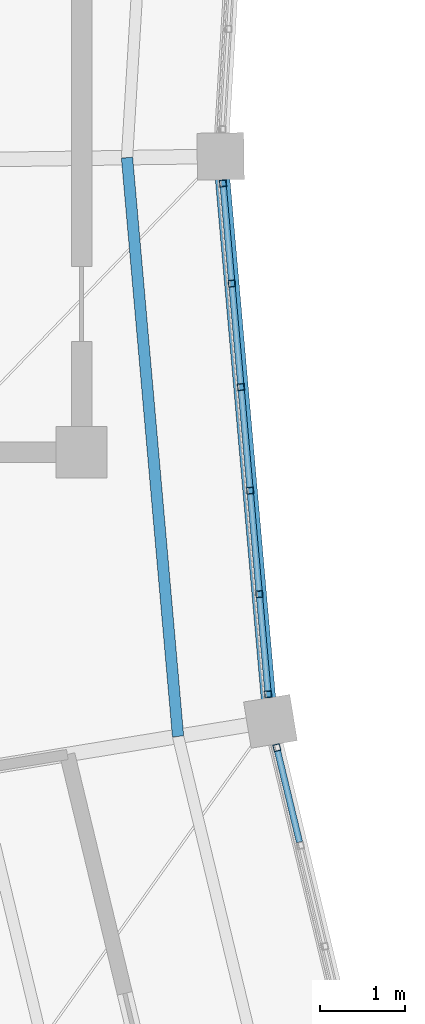
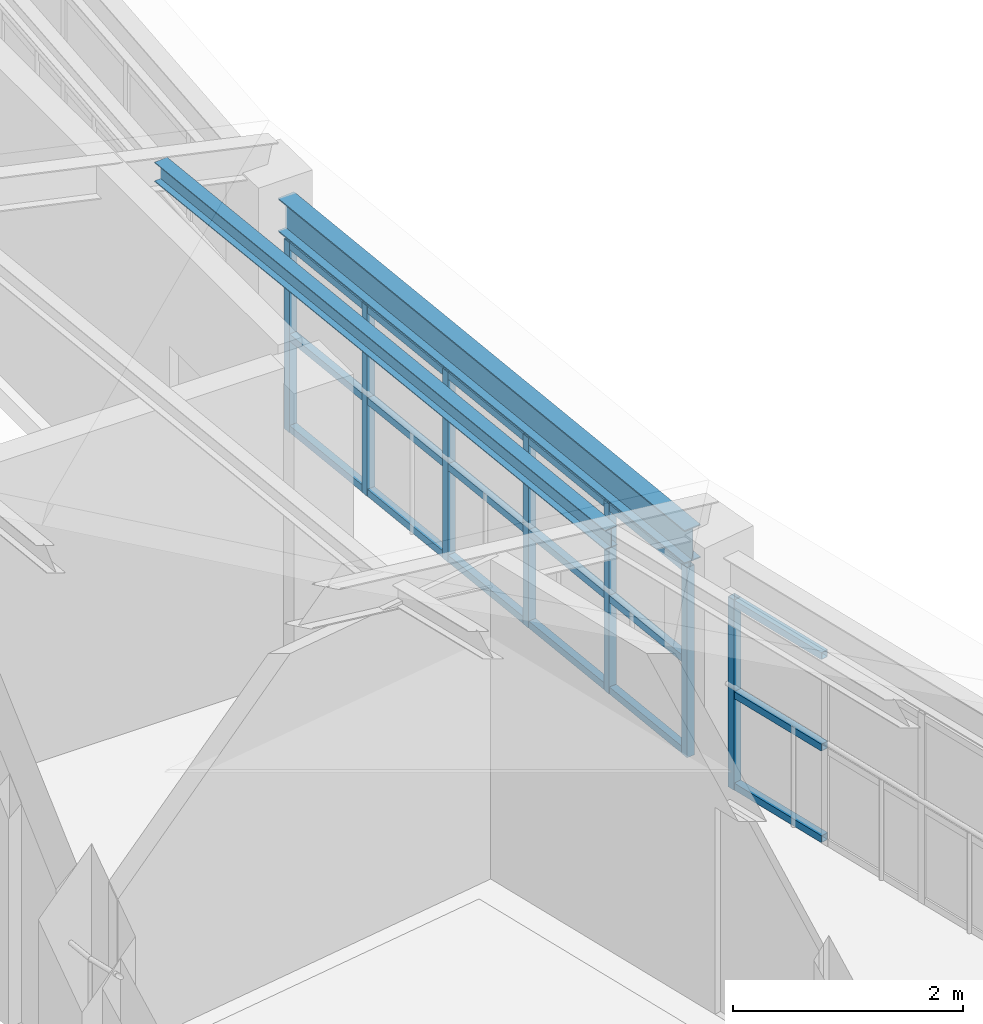
# One storey, part 29 of 149: 26 members, 1 beam, 2 elements without a shape of their own.
"""IFC4 building model written with IfcOpenShell, lengths in metres."""

from ifc_helpers import new_model, si_unit, direction, frame, origin, origin_2d, place, context, subcontext, project, spatial, hollow_rectangle, i_section, extrude, material, material_profile, profile_set, type_object, element, aggregate, save


model = new_model("IFC4")

# Units and contexts
model_context = context("Model", 3, precision=1e-05, world=origin(), true_north=direction((0.0, 1.0)))
body_context = subcontext(model_context, "Body", "Model", "MODEL_VIEW")
ifc_project = project(units=[si_unit("LENGTHUNIT", "METRE"), si_unit("AREAUNIT", "SQUARE_METRE"), si_unit("VOLUMEUNIT", "CUBIC_METRE"), si_unit("PLANEANGLEUNIT", "RADIAN"), si_unit("MASSUNIT", "GRAM", prefix="KILO")], contexts=[model_context])

# Site, building, storey
site_placement = place(None, origin())
site = spatial("IfcSite", under=ifc_project, at=site_placement, CompositionType="ELEMENT")
building_placement = place(site_placement, origin())
building = spatial("IfcBuilding", under=site, at=building_placement, Name="Celadon Cloister-Ring School", CompositionType="ELEMENT")
storey_placement = place(building_placement, frame((0.0, 0.0, 12.5)))
storey = spatial("IfcBuildingStorey", under=building, at=storey_placement, Name="L03", CompositionType="ELEMENT", Elevation=12.5)

# Curtain wall, members
ifc_material_1 = material(Name="Aluminium EN AW-6063 T6", Category="aluminium")
curtain_wall_type = type_object("IfcCurtainWallType", Name="CW-02", PredefinedType="USERDEFINED", material=ifc_material_1)
curtain_wall_1_placement = place(storey_placement, origin())
curtain_wall_1 = element("IfcCurtainWall", 1, at=curtain_wall_1_placement, inside=storey, type_object=curtain_wall_type, Name="Curtain Wall 0051", ObjectType="CURTAIN WALL", PredefinedType="USERDEFINED")
ifc_material_2 = material(Name="Aluminium EN AW-6063 T6", Category="aluminium")
ifc_material_profile_1 = material_profile(ifc_material_2, hollow_rectangle(XDim=0.080078125, YDim=0.080078125, WallThickness=0.00390625, at=origin_2d()), Name="RHS80X80X4")
ifc_profile_set_1 = profile_set([ifc_material_profile_1], Name="Aluminium EN AW-6063 T6")
member_type_1 = type_object("IfcMemberType", Name="CM-03", PredefinedType="MULLION", material=ifc_profile_set_1)
member_1_placement = place(storey_placement, frame((42.031494140625, 58.06005859375, 0.0), z_axis=(0.0, 0.0, 1.0), x_axis=(0.996114237179, 0.088070576756, 0.0)))
member_1 = element("IfcMember", 2, at=member_1_placement, type_object=member_type_1, Name="CW-02 mullion 1", PredefinedType="MULLION", context=body_context, shape_type="SweptSolid", body=[
    extrude(hollow_rectangle(XDim=0.080078125, YDim=0.080078125, WallThickness=0.00390625, at=origin_2d()), origin(), (0.0, 0.0, 1.0), 2.02001953125),
])
member_2_placement = place(storey_placement, frame((42.135498046875, 56.883056640625, 0.0), z_axis=(0.0, 0.0, 1.0), x_axis=(0.996114237179, 0.088070576756, 0.0)))
member_2 = element("IfcMember", 3, at=member_2_placement, type_object=member_type_1, Name="CW-02 mullion 2", PredefinedType="MULLION", context=body_context, shape_type="SweptSolid", body=[
    extrude(hollow_rectangle(XDim=0.080078125, YDim=0.080078125, WallThickness=0.00390625, at=origin_2d()), origin(), (0.0, 0.0, 1.0), 2.02001953125),
])
member_3_placement = place(storey_placement, frame((42.2431640625, 55.666015625, 0.0), z_axis=(0.0, 0.0, 1.0), x_axis=(0.996114237179, 0.088070576756, 0.0)))
member_3 = element("IfcMember", 4, at=member_3_placement, type_object=member_type_1, Name="CW-02 mullion 3", PredefinedType="MULLION", context=body_context, shape_type="SweptSolid", body=[
    extrude(hollow_rectangle(XDim=0.080078125, YDim=0.080078125, WallThickness=0.00390625, at=origin_2d()), origin(), (0.0, 0.0, 1.0), 2.02001953125),
])
member_4_placement = place(storey_placement, frame((42.350830078125, 54.448974609375, 0.0), z_axis=(0.0, 0.0, 1.0), x_axis=(0.996114237179, 0.088070576756, 0.0)))
member_4 = element("IfcMember", 5, at=member_4_placement, type_object=member_type_1, Name="CW-02 mullion 4", PredefinedType="MULLION", context=body_context, shape_type="SweptSolid", body=[
    extrude(hollow_rectangle(XDim=0.080078125, YDim=0.080078125, WallThickness=0.00390625, at=origin_2d()), origin(), (0.0, 0.0, 1.0), 2.02001953125),
])
member_5_placement = place(storey_placement, frame((42.45849609375, 53.23193359375, 0.0), z_axis=(0.0, 0.0, 1.0), x_axis=(0.996114237179, 0.088070576756, 0.0)))
member_5 = element("IfcMember", 6, at=member_5_placement, type_object=member_type_1, Name="CW-02 mullion 5", PredefinedType="MULLION", context=body_context, shape_type="SweptSolid", body=[
    extrude(hollow_rectangle(XDim=0.080078125, YDim=0.080078125, WallThickness=0.00390625, at=origin_2d()), origin(), (0.0, 0.0, 1.0), 2.02001953125),
])
member_6_placement = place(storey_placement, frame((42.5625, 52.054931640625, 0.0), z_axis=(0.0, 0.0, 1.0), x_axis=(0.996114237179, 0.088070576756, 0.0)))
member_6 = element("IfcMember", 7, at=member_6_placement, type_object=member_type_1, Name="CW-02 mullion 6", PredefinedType="MULLION", context=body_context, shape_type="SweptSolid", body=[
    extrude(hollow_rectangle(XDim=0.080078125, YDim=0.080078125, WallThickness=0.00390625, at=origin_2d()), origin(), (0.0, 0.0, 1.0), 2.02001953125),
])

# Curtain wall, member
curtain_wall_2_placement = place(storey_placement, origin())
curtain_wall_2 = element("IfcCurtainWall", 8, at=curtain_wall_2_placement, inside=storey, type_object=curtain_wall_type, Name="Curtain Wall 0052", ObjectType="CURTAIN WALL", PredefinedType="USERDEFINED")
member_7_placement = place(storey_placement, frame((42.664306640625, 51.427001953125, 0.0), z_axis=(0.0, 0.0, 1.0), x_axis=(0.972214668757, 0.234091088797, 0.0)))
member_7 = element("IfcMember", 9, at=member_7_placement, type_object=member_type_1, Name="CW-02 mullion 1", PredefinedType="MULLION", context=body_context, shape_type="SweptSolid", body=[
    extrude(hollow_rectangle(XDim=0.080078125, YDim=0.080078125, WallThickness=0.00390625, at=origin_2d()), origin(), (0.0, 0.0, 1.0), 2.02001953125),
])

# Member
ifc_material_3 = material(Name="Aluminium EN AW-6063 T6", Category="aluminium")
ifc_material_profile_2 = material_profile(ifc_material_3, hollow_rectangle(XDim=0.074951171875, YDim=0.074951171875, WallThickness=0.00390625, at=origin_2d()), Name="RHS75X75X4")
ifc_profile_set_2 = profile_set([ifc_material_profile_2], Name="Aluminium EN AW-6063 T6")
member_type_2 = type_object("IfcMemberType", Name="CTM-03", PredefinedType="USERDEFINED", material=ifc_profile_set_2)
member_8_placement = place(storey_placement, frame((42.03515625, 58.020263671875, 0.03759765625), z_axis=(0.087977887401, -0.996122427881, 0.0), x_axis=(0.996122427881, 0.087977887401, 0.0)))
member_8 = element("IfcMember", 10, at=member_8_placement, type_object=member_type_2, Name="CW-02 transom 1.1", ObjectType="TRANSOM", PredefinedType="USERDEFINED", context=body_context, shape_type="SweptSolid", body=[
    extrude(hollow_rectangle(XDim=0.074951171875, YDim=0.074951171875, WallThickness=0.00390625, at=origin_2d()), origin(), (0.0, 0.0, 1.0), 1.1015625),
])

member_9_placement = place(storey_placement, frame((42.03515625, 58.020263671875, 1.010009765625), z_axis=(0.087977887401, -0.996122427881, 0.0), x_axis=(0.996122427881, 0.087977887401, 0.0)))
member_9 = element("IfcMember", 11, at=member_9_placement, type_object=member_type_2, Name="CW-02 transom 1.2", ObjectType="TRANSOM", PredefinedType="USERDEFINED", context=body_context, shape_type="SweptSolid", body=[
    extrude(hollow_rectangle(XDim=0.074951171875, YDim=0.074951171875, WallThickness=0.00390625, at=origin_2d()), origin(), (0.0, 0.0, 1.0), 1.1015625),
])

member_10_placement = place(storey_placement, frame((42.03515625, 58.020263671875, 1.982421875), z_axis=(0.087977887401, -0.996122427881, 0.0), x_axis=(0.996122427881, 0.087977887401, 0.0)))
member_10 = element("IfcMember", 12, at=member_10_placement, type_object=member_type_2, Name="CW-02 transom 1.3", ObjectType="TRANSOM", PredefinedType="USERDEFINED", context=body_context, shape_type="SweptSolid", body=[
    extrude(hollow_rectangle(XDim=0.074951171875, YDim=0.074951171875, WallThickness=0.00390625, at=origin_2d()), origin(), (0.0, 0.0, 1.0), 1.1015625),
])

member_11_placement = place(storey_placement, frame((42.13916015625, 56.84326171875, 0.03759765625), z_axis=(0.0880872416, -0.99611276363, 0.0), x_axis=(0.99611276363, 0.0880872416, 0.0)))
member_11 = element("IfcMember", 13, at=member_11_placement, type_object=member_type_2, Name="CW-02 transom 2.1", ObjectType="TRANSOM", PredefinedType="USERDEFINED", context=body_context, shape_type="SweptSolid", body=[
    extrude(hollow_rectangle(XDim=0.074951171875, YDim=0.074951171875, WallThickness=0.00390625, at=origin_2d()), origin(), (0.0, 0.0, 1.0), 1.141845703125),
])

member_12_placement = place(storey_placement, frame((42.13916015625, 56.84326171875, 1.010009765625), z_axis=(0.0880872416, -0.99611276363, 0.0), x_axis=(0.99611276363, 0.0880872416, 0.0)))
member_12 = element("IfcMember", 14, at=member_12_placement, type_object=member_type_2, Name="CW-02 transom 2.2", ObjectType="TRANSOM", PredefinedType="USERDEFINED", context=body_context, shape_type="SweptSolid", body=[
    extrude(hollow_rectangle(XDim=0.074951171875, YDim=0.074951171875, WallThickness=0.00390625, at=origin_2d()), origin(), (0.0, 0.0, 1.0), 1.141845703125),
])

member_13_placement = place(storey_placement, frame((42.13916015625, 56.84326171875, 1.982421875), z_axis=(0.0880872416, -0.99611276363, 0.0), x_axis=(0.99611276363, 0.0880872416, 0.0)))
member_13 = element("IfcMember", 15, at=member_13_placement, type_object=member_type_2, Name="CW-02 transom 2.3", ObjectType="TRANSOM", PredefinedType="USERDEFINED", context=body_context, shape_type="SweptSolid", body=[
    extrude(hollow_rectangle(XDim=0.074951171875, YDim=0.074951171875, WallThickness=0.00390625, at=origin_2d()), origin(), (0.0, 0.0, 1.0), 1.141845703125),
])

member_14_placement = place(storey_placement, frame((42.246826171875, 55.626220703125, 0.03759765625), z_axis=(0.08787509061, -0.996131501585, 0.0), x_axis=(0.996131501585, 0.08787509061, 0.0)))
member_14 = element("IfcMember", 16, at=member_14_placement, type_object=member_type_2, Name="CW-02 transom 3.1", ObjectType="TRANSOM", PredefinedType="USERDEFINED", context=body_context, shape_type="SweptSolid", body=[
    extrude(hollow_rectangle(XDim=0.074951171875, YDim=0.074951171875, WallThickness=0.00390625, at=origin_2d()), origin(), (0.0, 0.0, 1.0), 1.141845703125),
])

member_15_placement = place(storey_placement, frame((42.246826171875, 55.626220703125, 1.010009765625), z_axis=(0.08787509061, -0.996131501585, 0.0), x_axis=(0.996131501585, 0.08787509061, 0.0)))
member_15 = element("IfcMember", 17, at=member_15_placement, type_object=member_type_2, Name="CW-02 transom 3.2", ObjectType="TRANSOM", PredefinedType="USERDEFINED", context=body_context, shape_type="SweptSolid", body=[
    extrude(hollow_rectangle(XDim=0.074951171875, YDim=0.074951171875, WallThickness=0.00390625, at=origin_2d()), origin(), (0.0, 0.0, 1.0), 1.141845703125),
])

member_16_placement = place(storey_placement, frame((42.246826171875, 55.626220703125, 1.982421875), z_axis=(0.08787509061, -0.996131501585, 0.0), x_axis=(0.996131501585, 0.08787509061, 0.0)))
member_16 = element("IfcMember", 18, at=member_16_placement, type_object=member_type_2, Name="CW-02 transom 3.3", ObjectType="TRANSOM", PredefinedType="USERDEFINED", context=body_context, shape_type="SweptSolid", body=[
    extrude(hollow_rectangle(XDim=0.074951171875, YDim=0.074951171875, WallThickness=0.00390625, at=origin_2d()), origin(), (0.0, 0.0, 1.0), 1.141845703125),
])

member_17_placement = place(storey_placement, frame((42.354248046875, 54.4091796875, 0.03759765625), z_axis=(0.0880872416, -0.99611276363, 0.0), x_axis=(0.99611276363, 0.0880872416, 0.0)))
member_17 = element("IfcMember", 19, at=member_17_placement, type_object=member_type_2, Name="CW-02 transom 4.1", ObjectType="TRANSOM", PredefinedType="USERDEFINED", context=body_context, shape_type="SweptSolid", body=[
    extrude(hollow_rectangle(XDim=0.074951171875, YDim=0.074951171875, WallThickness=0.00390625, at=origin_2d()), origin(), (0.0, 0.0, 1.0), 1.141845703125),
])

member_18_placement = place(storey_placement, frame((42.354248046875, 54.4091796875, 1.010009765625), z_axis=(0.0880872416, -0.99611276363, 0.0), x_axis=(0.99611276363, 0.0880872416, 0.0)))
member_18 = element("IfcMember", 20, at=member_18_placement, type_object=member_type_2, Name="CW-02 transom 4.2", ObjectType="TRANSOM", PredefinedType="USERDEFINED", context=body_context, shape_type="SweptSolid", body=[
    extrude(hollow_rectangle(XDim=0.074951171875, YDim=0.074951171875, WallThickness=0.00390625, at=origin_2d()), origin(), (0.0, 0.0, 1.0), 1.141845703125),
])

member_19_placement = place(storey_placement, frame((42.354248046875, 54.4091796875, 1.982421875), z_axis=(0.0880872416, -0.99611276363, 0.0), x_axis=(0.99611276363, 0.0880872416, 0.0)))
member_19 = element("IfcMember", 21, at=member_19_placement, type_object=member_type_2, Name="CW-02 transom 4.3", ObjectType="TRANSOM", PredefinedType="USERDEFINED", context=body_context, shape_type="SweptSolid", body=[
    extrude(hollow_rectangle(XDim=0.074951171875, YDim=0.074951171875, WallThickness=0.00390625, at=origin_2d()), origin(), (0.0, 0.0, 1.0), 1.141845703125),
])

member_20_placement = place(storey_placement, frame((42.4619140625, 53.192138671875, 0.03759765625), z_axis=(0.087977887401, -0.996122427881, 0.0), x_axis=(0.996122427881, 0.087977887401, 0.0)))
member_20 = element("IfcMember", 22, at=member_20_placement, type_object=member_type_2, Name="CW-02 transom 5.1", ObjectType="TRANSOM", PredefinedType="USERDEFINED", context=body_context, shape_type="SweptSolid", body=[
    extrude(hollow_rectangle(XDim=0.074951171875, YDim=0.074951171875, WallThickness=0.00390625, at=origin_2d()), origin(), (0.0, 0.0, 1.0), 1.1015625),
])

member_21_placement = place(storey_placement, frame((42.4619140625, 53.192138671875, 1.010009765625), z_axis=(0.087977887401, -0.996122427881, 0.0), x_axis=(0.996122427881, 0.087977887401, 0.0)))
member_21 = element("IfcMember", 23, at=member_21_placement, type_object=member_type_2, Name="CW-02 transom 5.2", ObjectType="TRANSOM", PredefinedType="USERDEFINED", context=body_context, shape_type="SweptSolid", body=[
    extrude(hollow_rectangle(XDim=0.074951171875, YDim=0.074951171875, WallThickness=0.00390625, at=origin_2d()), origin(), (0.0, 0.0, 1.0), 1.1015625),
])

member_22_placement = place(storey_placement, frame((42.4619140625, 53.192138671875, 1.982421875), z_axis=(0.087977887401, -0.996122427881, 0.0), x_axis=(0.996122427881, 0.087977887401, 0.0)))
member_22 = element("IfcMember", 24, at=member_22_placement, type_object=member_type_2, Name="CW-02 transom 5.3", ObjectType="TRANSOM", PredefinedType="USERDEFINED", context=body_context, shape_type="SweptSolid", body=[
    extrude(hollow_rectangle(XDim=0.074951171875, YDim=0.074951171875, WallThickness=0.00390625, at=origin_2d()), origin(), (0.0, 0.0, 1.0), 1.1015625),
])

aggregate(curtain_wall_1, [member_1, member_2, member_3, member_4, member_5, member_6, member_8, member_9, member_10, member_11, member_12, member_13, member_14, member_15, member_16, member_17, member_18, member_19, member_20, member_21, member_22])

member_23_placement = place(storey_placement, frame((42.673828125, 51.38818359375, 0.03759765625), z_axis=(0.234026684216, -0.972230173917, 0.0), x_axis=(0.972230173917, 0.234026684216, 0.0)))
member_23 = element("IfcMember", 25, at=member_23_placement, type_object=member_type_2, Name="CW-02 transom 1.1", ObjectType="TRANSOM", PredefinedType="USERDEFINED", context=body_context, shape_type="SweptSolid", body=[
    extrude(hollow_rectangle(XDim=0.074951171875, YDim=0.074951171875, WallThickness=0.00390625, at=origin_2d()), origin(), (0.0, 0.0, 1.0), 1.1015625),
])

member_24_placement = place(storey_placement, frame((42.673828125, 51.38818359375, 1.010009765625), z_axis=(0.234026684216, -0.972230173917, 0.0), x_axis=(0.972230173917, 0.234026684216, 0.0)))
member_24 = element("IfcMember", 26, at=member_24_placement, type_object=member_type_2, Name="CW-02 transom 1.2", ObjectType="TRANSOM", PredefinedType="USERDEFINED", context=body_context, shape_type="SweptSolid", body=[
    extrude(hollow_rectangle(XDim=0.074951171875, YDim=0.074951171875, WallThickness=0.00390625, at=origin_2d()), origin(), (0.0, 0.0, 1.0), 1.1015625),
])

member_25_placement = place(storey_placement, frame((42.673828125, 51.38818359375, 1.982421875), z_axis=(0.234026684216, -0.972230173917, 0.0), x_axis=(0.972230173917, 0.234026684216, 0.0)))
member_25 = element("IfcMember", 27, at=member_25_placement, type_object=member_type_2, Name="CW-02 transom 1.3", ObjectType="TRANSOM", PredefinedType="USERDEFINED", context=body_context, shape_type="SweptSolid", body=[
    extrude(hollow_rectangle(XDim=0.074951171875, YDim=0.074951171875, WallThickness=0.00390625, at=origin_2d()), origin(), (0.0, 0.0, 1.0), 1.1015625),
])

aggregate(curtain_wall_2, [member_7, member_23, member_24, member_25])

# Beam
ifc_material_4 = material(Name="Structural steel S355JR", Category="steel")
ifc_material_profile_3 = material_profile(ifc_material_4, i_section(OverallWidth=0.1708984375, OverallDepth=0.35498046875, WebThickness=0.007080078125, FlangeThickness=0.01171875, at=origin_2d()), Name="W360X51")
ifc_profile_set_3 = profile_set([ifc_material_profile_3], Name="Structural steel S355JR")
beam_type = type_object("IfcBeamType", Name="GT-08", PredefinedType="USERDEFINED", material=ifc_profile_set_3)
beam_placement = place(storey_placement, frame((42.02587890625, 58.12890625, 2.27197265625), z_axis=(0.087929628242, -0.996126688969, 0.0), x_axis=(0.996126688969, 0.087929628242, 0.0)))
element("IfcBeam", 28, at=beam_placement, inside=storey, type_object=beam_type, Name="Beam 0539", ObjectType="GIRDER", PredefinedType="USERDEFINED", context=body_context, shape_type="SweptSolid", body=[
    extrude(i_section(OverallWidth=0.1708984375, OverallDepth=0.35498046875, WebThickness=0.007080078125, FlangeThickness=0.01171875, at=origin_2d()), origin(), (0.0, 0.0, 1.0), 6.166748046875),
])

# Member
ifc_material_5 = material(Name="Structural steel S355JR", Category="steel")
ifc_material_profile_4 = material_profile(ifc_material_5, i_section(OverallWidth=0.133056640625, OverallDepth=0.20703125, WebThickness=0.005859375, FlangeThickness=0.00830078125, at=origin_2d()), Name="W200X27")
ifc_profile_set_4 = profile_set([ifc_material_profile_4], Name="Structural steel S355JR")
member_type_3 = type_object("IfcMemberType", Name="MP-04", PredefinedType="PURLIN", material=ifc_profile_set_4)
member_26_placement = place(storey_placement, frame((40.904052734375, 58.363037109375, 2.970947265625), z_axis=(0.087834341632, -0.996135095472, 0.0), x_axis=(0.996135095472, 0.087834341632, 0.0)))
element("IfcMember", 29, at=member_26_placement, inside=storey, type_object=member_type_3, Name="Structural Member 0112", PredefinedType="PURLIN", context=body_context, shape_type="SweptSolid", body=[
    extrude(i_section(OverallWidth=0.133056640625, OverallDepth=0.20703125, WebThickness=0.005859375, FlangeThickness=0.00830078125, at=origin_2d()), origin(), (0.0, 0.0, 1.0), 6.829345703125),
])

save(model, "model.ifc")
